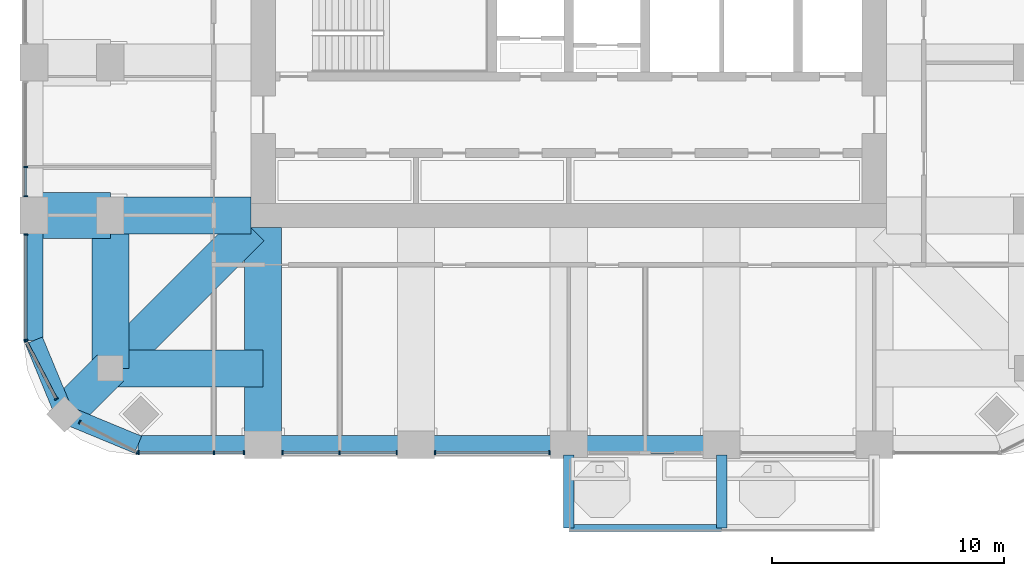
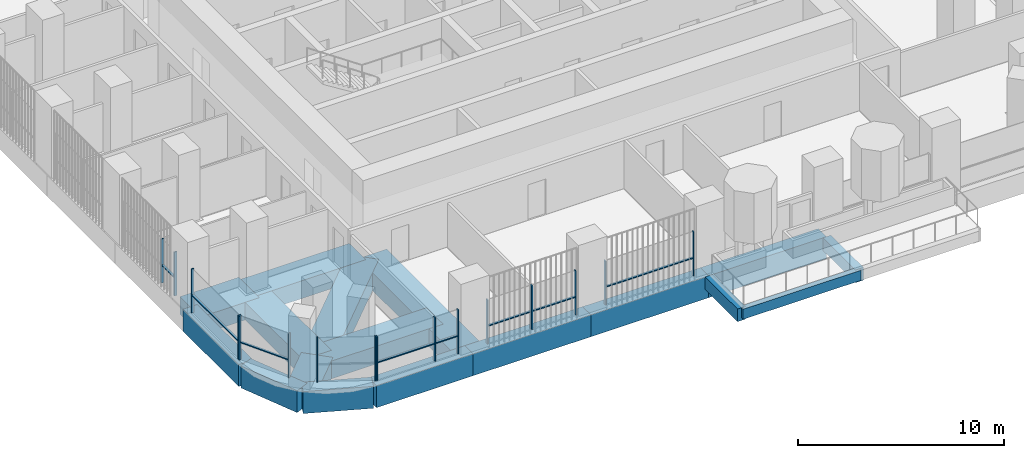
# One storey, part 2 of 20: 24 members, 17 beams, 7 elements without a shape of their own.
"""IFC4 building model written with IfcOpenShell, lengths in metres."""

from ifc_helpers import new_model, si_unit, direction, frame, origin, origin_2d, place, context, subcontext, project, spatial, rectangle, extrude, material, material_profile, profile_set, type_object, element, aggregate, save


model = new_model("IFC4")

# Units and contexts
model_context = context("Model", 3, precision=1e-05, world=origin(), true_north=direction((0.0, 1.0)))
body_context = subcontext(model_context, "Body", "Model", "MODEL_VIEW")
ifc_project = project(units=[si_unit("LENGTHUNIT", "METRE"), si_unit("AREAUNIT", "SQUARE_METRE"), si_unit("VOLUMEUNIT", "CUBIC_METRE"), si_unit("PLANEANGLEUNIT", "RADIAN"), si_unit("MASSUNIT", "GRAM", prefix="KILO")], contexts=[model_context])

# Site, building, storey
site_placement = place(None, origin())
site = spatial("IfcSite", under=ifc_project, at=site_placement, CompositionType="ELEMENT")
building_placement = place(site_placement, origin())
building = spatial("IfcBuilding", under=site, at=building_placement, Name="Cobogo Forest Laboratory Tower", CompositionType="ELEMENT")
storey_placement = place(building_placement, frame((0.0, 0.0, 214.5)))
storey = spatial("IfcBuildingStorey", under=building, at=storey_placement, Name="L49", CompositionType="ELEMENT", Elevation=214.5)

# Beams
ifc_material_1 = material(Name="Concrete HA-40 (C40/50)", Category="concrete")
ifc_material_profile_1 = material_profile(ifc_material_1, rectangle(XDim=0.449951171875, YDim=0.75, at=origin_2d()), Name="RC 450x750")
ifc_profile_set_1 = profile_set([ifc_material_profile_1], Name="Concrete HA-40 (C40/50)")
beam_type_1 = type_object("IfcBeamType", Name="Balcony cantilever beam 450x750", PredefinedType="BEAM", material=ifc_profile_set_1)
for number, where, z_axis, x_axis, name in (
    (1, (26.39990234375, 2.85009765625, -0.625), (0.0, -1.0, 0.0), (1.0, 0.0, 0.0), "CB1 BAL-S1-C1 L49"),
    (2, (33.0, 2.85009765625, -0.625), (0.0, -1.0, 0.0), (1.0, 0.0, 0.0), "CB1 BAL-S1-C2 L49"),
):
    element("IfcBeam", number, at=place(storey_placement, frame(where, z_axis=z_axis, x_axis=x_axis)), inside=storey, type_object=beam_type_1, Name=name, PredefinedType="BEAM", context=body_context, shape_type="SweptSolid", body=[
        extrude(rectangle(XDim=0.449951171875, YDim=0.75, at=origin_2d()), origin(), (0.0, 0.0, 1.0), 3.150146484375),
    ])
ifc_material_profile_2 = material_profile(ifc_material_1, rectangle(XDim=0.300048828125, YDim=0.60009765625, at=origin_2d()), Name="RC 300x600")
ifc_profile_set_2 = profile_set([ifc_material_profile_2], Name="Concrete HA-40 (C40/50)")
beam_type_2 = type_object("IfcBeamType", Name="Balcony edge beam 300x600", PredefinedType="BEAM", material=ifc_profile_set_2)
beam_1_placement = place(storey_placement, frame((26.39990234375, -0.300048828125, -0.550048828125), z_axis=(1.0, 0.0, 0.0), x_axis=(0.0, 1.0, 0.0)))
element("IfcBeam", 3, at=beam_1_placement, inside=storey, type_object=beam_type_2, Name="BB1 BAL-S1-T1 L49", PredefinedType="BEAM", context=body_context, shape_type="SweptSolid", body=[
    extrude(rectangle(XDim=0.300048828125, YDim=0.60009765625, at=origin_2d()), origin(), (0.0, 0.0, 1.0), 6.60009765625),
])
ifc_material_2 = material(Name="Concrete HA-50 (C50/60)", Category="concrete")
ifc_material_profile_3 = material_profile(ifc_material_2, rectangle(XDim=2.0, YDim=1.050048828125, at=origin_2d()), Name="RC 2000x1050")
ifc_profile_set_3 = profile_set([ifc_material_profile_3], Name="Concrete HA-50 (C50/60)")
beam_type_3 = type_object("IfcBeamType", Name="End-bay wide beam 2000x1050", PredefinedType="BEAM", material=ifc_profile_set_3)
beam_2_placement = place(storey_placement, frame((3.300048828125, 13.199951171875, -0.824951171875), z_axis=(1.0, 0.0, 0.0), x_axis=(0.0, 1.0, 0.0)))
element("IfcBeam", 4, at=beam_2_placement, inside=storey, type_object=beam_type_3, Name="RB7 R-C-W-X L49", PredefinedType="BEAM", context=body_context, shape_type="SweptSolid", body=[
    extrude(rectangle(XDim=2.0, YDim=1.050048828125, at=origin_2d()), origin(), (0.0, 0.0, 1.0), 3.300048828125),
])
ifc_material_profile_4 = material_profile(ifc_material_2, rectangle(XDim=1.60009765625, YDim=1.050048828125, at=origin_2d()), Name="RC 1600x1050")
ifc_profile_set_4 = profile_set([ifc_material_profile_4], Name="Concrete HA-50 (C50/60)")
beam_type_4 = type_object("IfcBeamType", Name="Laboratory floor wide beam 1600x1050", PredefinedType="BEAM", material=ifc_profile_set_4)
beam_3_placement = place(storey_placement, frame((13.199951171875, 12.675048828125, -0.824951171875), z_axis=(0.0, -1.0, 0.0), x_axis=(1.0, 0.0, 0.0)))
element("IfcBeam", 5, at=beam_3_placement, inside=storey, type_object=beam_type_4, Name="RB8 R-3-S L49", PredefinedType="BEAM", context=body_context, shape_type="SweptSolid", body=[
    extrude(rectangle(XDim=1.60009765625, YDim=1.050048828125, at=origin_2d()), origin(), (0.0, 0.0, 1.0), 9.375),
])
beam_4_placement = place(storey_placement, frame((12.675048828125, 13.199951171875, -0.824951171875), z_axis=(-1.0, 0.0, 0.0), x_axis=(0.0, -1.0, 0.0)))
element("IfcBeam", 6, at=beam_4_placement, inside=storey, type_object=beam_type_4, Name="RB8 R-C-W L49", PredefinedType="BEAM", context=body_context, shape_type="SweptSolid", body=[
    extrude(rectangle(XDim=1.60009765625, YDim=1.050048828125, at=origin_2d()), origin(), (0.0, 0.0, 1.0), 6.074951171875),
])
for number, where, z_axis, x_axis, name in (
    (7, (6.60009765625, 6.60009765625, -0.824951171875), (0.0, 1.0, 0.0), (-1.0, 0.0, 0.0), "RB8 G-SW-XC L49"),
    (8, (6.60009765625, 6.60009765625, -0.824951171875), (1.0, 0.0, 0.0), (0.0, 1.0, 0.0), "RB8 G-SW-YC L49"),
):
    element("IfcBeam", number, at=place(storey_placement, frame(where, z_axis=z_axis, x_axis=x_axis)), inside=storey, type_object=beam_type_4, Name=name, PredefinedType="BEAM", context=body_context, shape_type="SweptSolid", body=[
        extrude(rectangle(XDim=1.60009765625, YDim=1.050048828125, at=origin_2d()), origin(), (0.0, 0.0, 1.0), 6.599853515625),
    ])
beam_5_placement = place(storey_placement, frame((4.617919921875, 4.617919921875, -0.824951171875), z_axis=(0.707106781187, 0.707106781187, 0.0), x_axis=(-0.707106781187, 0.707106781187, 0.0)))
element("IfcBeam", 9, at=beam_5_placement, inside=storey, type_object=beam_type_4, Name="RB8 G-SW-D1 L49", PredefinedType="BEAM", context=body_context, shape_type="SweptSolid", body=[
    extrude(rectangle(XDim=1.60009765625, YDim=1.050048828125, at=origin_2d()), origin(), (0.0, 0.0, 1.0), 2.80322265625),
])
beam_6_placement = place(storey_placement, frame((6.60009765625, 6.60009765625, -0.824951171875), z_axis=(0.707106781187, 0.707106781187, 0.0), x_axis=(-0.707106781187, 0.707106781187, 0.0)))
element("IfcBeam", 10, at=beam_6_placement, inside=storey, type_object=beam_type_4, Name="RB8 G-SW-D2 L49", PredefinedType="BEAM", context=body_context, shape_type="SweptSolid", body=[
    extrude(rectangle(XDim=1.60009765625, YDim=1.050048828125, at=origin_2d()), origin(), (0.0, 0.0, 1.0), 8.59130859375),
])

# Curtain wall, members
ifc_material_3 = material(Name="Aluminium curtain wall", Category="aluminium")
curtain_wall_type = type_object("IfcCurtainWallType", Name="CW-2 unitised curtain wall, solar control glazing, laboratory floors zones C and D", PredefinedType="USERDEFINED", material=ifc_material_3)
curtain_wall_1_placement = place(storey_placement, origin())
curtain_wall_1 = element("IfcCurtainWall", 11, at=curtain_wall_1_placement, inside=storey, type_object=curtain_wall_type, Name="Curtain wall 01 L49", ObjectType="UNITISED CURTAIN WALL", PredefinedType="USERDEFINED")
ifc_material_4 = material(Name="Aluminium mullion", Category="aluminium")
ifc_material_profile_5 = material_profile(ifc_material_4, rectangle(XDim=0.06005859375, YDim=0.159912109375, at=origin_2d()), Name="AL 60x160")
ifc_profile_set_5 = profile_set([ifc_material_profile_5], Name="Aluminium mullion")
member_type_1 = type_object("IfcMemberType", Name="MU-1 aluminium mullion 60x160", PredefinedType="MULLION", material=ifc_profile_set_5)
member_1_placement = place(storey_placement, frame((7.830078125, 2.949951171875, 0.0), z_axis=(0.0, 0.0, 1.0), x_axis=(1.0, 0.0, 0.0)))
member_1 = element("IfcMember", 12, at=member_1_placement, type_object=member_type_1, Name="CW-2 mullion 1", PredefinedType="MULLION", context=body_context, shape_type="SweptSolid", body=[
    extrude(rectangle(XDim=0.06005859375, YDim=0.159912109375, at=origin_2d()), origin(), (0.0, 0.0, 1.0), 2.60009765625),
])
member_2_placement = place(storey_placement, frame((11.074951171875, 2.949951171875, 0.0), z_axis=(0.0, 0.0, 1.0), x_axis=(1.0, 0.0, 0.0)))
member_2 = element("IfcMember", 13, at=member_2_placement, type_object=member_type_1, Name="CW-2 mullion 2", PredefinedType="MULLION", context=body_context, shape_type="SweptSolid", body=[
    extrude(rectangle(XDim=0.06005859375, YDim=0.159912109375, at=origin_2d()), origin(), (0.0, 0.0, 1.0), 2.60009765625),
])
member_3_placement = place(storey_placement, frame((12.3701171875, 2.949951171875, 0.0), z_axis=(0.0, 0.0, 1.0), x_axis=(1.0, 0.0, 0.0)))
member_3 = element("IfcMember", 14, at=member_3_placement, type_object=member_type_1, Name="CW-2 mullion 3", PredefinedType="MULLION", context=body_context, shape_type="SweptSolid", body=[
    extrude(rectangle(XDim=0.06005859375, YDim=0.159912109375, at=origin_2d()), origin(), (0.0, 0.0, 1.0), 2.60009765625),
])

curtain_wall_2_placement = place(storey_placement, origin())
curtain_wall_2 = element("IfcCurtainWall", 15, at=curtain_wall_2_placement, inside=storey, type_object=curtain_wall_type, Name="Curtain wall 02 L49", ObjectType="UNITISED CURTAIN WALL", PredefinedType="USERDEFINED")
member_4_placement = place(storey_placement, frame((14.030029296875, 2.949951171875, 0.0), z_axis=(0.0, 0.0, 1.0), x_axis=(1.0, 0.0, 0.0)))
member_4 = element("IfcMember", 16, at=member_4_placement, type_object=member_type_1, Name="CW-2 mullion 1", PredefinedType="MULLION", context=body_context, shape_type="SweptSolid", body=[
    extrude(rectangle(XDim=0.06005859375, YDim=0.159912109375, at=origin_2d()), origin(), (0.0, 0.0, 1.0), 2.60009765625),
])
member_5_placement = place(storey_placement, frame((16.5, 2.949951171875, 0.0), z_axis=(0.0, 0.0, 1.0), x_axis=(1.0, 0.0, 0.0)))
member_5 = element("IfcMember", 17, at=member_5_placement, type_object=member_type_1, Name="CW-2 mullion 2", PredefinedType="MULLION", context=body_context, shape_type="SweptSolid", body=[
    extrude(rectangle(XDim=0.06005859375, YDim=0.159912109375, at=origin_2d()), origin(), (0.0, 0.0, 1.0), 2.60009765625),
])
member_6_placement = place(storey_placement, frame((18.969970703125, 2.949951171875, 0.0), z_axis=(0.0, 0.0, 1.0), x_axis=(1.0, 0.0, 0.0)))
member_6 = element("IfcMember", 18, at=member_6_placement, type_object=member_type_1, Name="CW-2 mullion 3", PredefinedType="MULLION", context=body_context, shape_type="SweptSolid", body=[
    extrude(rectangle(XDim=0.06005859375, YDim=0.159912109375, at=origin_2d()), origin(), (0.0, 0.0, 1.0), 2.60009765625),
])

curtain_wall_3_placement = place(storey_placement, origin())
curtain_wall_3 = element("IfcCurtainWall", 19, at=curtain_wall_3_placement, inside=storey, type_object=curtain_wall_type, Name="Curtain wall 03 L49", ObjectType="UNITISED CURTAIN WALL", PredefinedType="USERDEFINED")
member_7_placement = place(storey_placement, frame((20.6298828125, 2.949951171875, 0.0), z_axis=(0.0, 0.0, 1.0), x_axis=(1.0, 0.0, 0.0)))
member_7 = element("IfcMember", 20, at=member_7_placement, type_object=member_type_1, Name="CW-2 mullion 1", PredefinedType="MULLION", context=body_context, shape_type="SweptSolid", body=[
    extrude(rectangle(XDim=0.06005859375, YDim=0.159912109375, at=origin_2d()), origin(), (0.0, 0.0, 1.0), 2.60009765625),
])
member_8_placement = place(storey_placement, frame((25.570068359375, 2.949951171875, 0.0), z_axis=(0.0, 0.0, 1.0), x_axis=(1.0, 0.0, 0.0)))
member_8 = element("IfcMember", 21, at=member_8_placement, type_object=member_type_1, Name="CW-2 mullion 2", PredefinedType="MULLION", context=body_context, shape_type="SweptSolid", body=[
    extrude(rectangle(XDim=0.06005859375, YDim=0.159912109375, at=origin_2d()), origin(), (0.0, 0.0, 1.0), 2.60009765625),
])

curtain_wall_4_placement = place(storey_placement, origin())
curtain_wall_4 = element("IfcCurtainWall", 22, at=curtain_wall_4_placement, inside=storey, type_object=curtain_wall_type, Name="Curtain wall 27 L49", ObjectType="UNITISED CURTAIN WALL", PredefinedType="USERDEFINED")
member_9_placement = place(storey_placement, frame((2.949951171875, 15.300048828125, 0.0), z_axis=(0.0, 0.0, 1.0), x_axis=(0.0, -1.0, 0.0)))
member_9 = element("IfcMember", 23, at=member_9_placement, type_object=member_type_1, Name="CW-2 mullion 2", PredefinedType="MULLION", context=body_context, shape_type="SweptSolid", body=[
    extrude(rectangle(XDim=0.06005859375, YDim=0.159912109375, at=origin_2d()), origin(), (0.0, 0.0, 1.0), 2.60009765625),
])
member_10_placement = place(storey_placement, frame((2.949951171875, 14.030029296875, 0.0), z_axis=(0.0, 0.0, 1.0), x_axis=(0.0, -1.0, 0.0)))
member_10 = element("IfcMember", 24, at=member_10_placement, type_object=member_type_1, Name="CW-2 mullion 3", PredefinedType="MULLION", context=body_context, shape_type="SweptSolid", body=[
    extrude(rectangle(XDim=0.06005859375, YDim=0.159912109375, at=origin_2d()), origin(), (0.0, 0.0, 1.0), 2.60009765625),
])

curtain_wall_5_placement = place(storey_placement, origin())
curtain_wall_5 = element("IfcCurtainWall", 25, at=curtain_wall_5_placement, inside=storey, type_object=curtain_wall_type, Name="Curtain wall 28 L49", ObjectType="UNITISED CURTAIN WALL", PredefinedType="USERDEFINED")
member_11_placement = place(storey_placement, frame((2.949951171875, 12.3701171875, 0.0), z_axis=(0.0, 0.0, 1.0), x_axis=(0.0, -1.0, 0.0)))
member_11 = element("IfcMember", 26, at=member_11_placement, type_object=member_type_1, Name="CW-2 mullion 1", PredefinedType="MULLION", context=body_context, shape_type="SweptSolid", body=[
    extrude(rectangle(XDim=0.06005859375, YDim=0.159912109375, at=origin_2d()), origin(), (0.0, 0.0, 1.0), 2.60009765625),
])
member_12_placement = place(storey_placement, frame((2.949951171875, 7.830078125, 0.0), z_axis=(0.0, 0.0, 1.0), x_axis=(0.0, -1.0, 0.0)))
member_12 = element("IfcMember", 27, at=member_12_placement, type_object=member_type_1, Name="CW-2 mullion 2", PredefinedType="MULLION", context=body_context, shape_type="SweptSolid", body=[
    extrude(rectangle(XDim=0.06005859375, YDim=0.159912109375, at=origin_2d()), origin(), (0.0, 0.0, 1.0), 2.60009765625),
])

curtain_wall_6_placement = place(storey_placement, origin())
curtain_wall_6 = element("IfcCurtainWall", 28, at=curtain_wall_6_placement, inside=storey, type_object=curtain_wall_type, Name="Curtain wall 29 L49", ObjectType="UNITISED CURTAIN WALL", PredefinedType="USERDEFINED")
member_13_placement = place(storey_placement, frame((2.9638671875, 7.7734375, 0.0), z_axis=(0.0, 0.0, 1.0), x_axis=(0.464283804832, -0.885686484356, 0.0)))
member_13 = element("IfcMember", 29, at=member_13_placement, type_object=member_type_1, Name="CW-2 mullion 1", PredefinedType="MULLION", context=body_context, shape_type="SweptSolid", body=[
    extrude(rectangle(XDim=0.06005859375, YDim=0.159912109375, at=origin_2d()), origin(), (0.0, 0.0, 1.0), 2.60009765625),
])
member_14_placement = place(storey_placement, frame((4.2734375, 5.275634765625, 0.0), z_axis=(0.0, 0.0, 1.0), x_axis=(0.464283804832, -0.885686484356, 0.0)))
member_14 = element("IfcMember", 30, at=member_14_placement, type_object=member_type_1, Name="CW-2 mullion 2", PredefinedType="MULLION", context=body_context, shape_type="SweptSolid", body=[
    extrude(rectangle(XDim=0.06005859375, YDim=0.159912109375, at=origin_2d()), origin(), (0.0, 0.0, 1.0), 2.60009765625),
])

curtain_wall_7_placement = place(storey_placement, origin())
curtain_wall_7 = element("IfcCurtainWall", 31, at=curtain_wall_7_placement, inside=storey, type_object=curtain_wall_type, Name="Curtain wall 30 L49", ObjectType="UNITISED CURTAIN WALL", PredefinedType="USERDEFINED")
member_15_placement = place(storey_placement, frame((5.275634765625, 4.2734375, 0.0), z_axis=(0.0, 0.0, 1.0), x_axis=(0.885686484356, -0.464283804832, 0.0)))
member_15 = element("IfcMember", 32, at=member_15_placement, type_object=member_type_1, Name="CW-2 mullion 1", PredefinedType="MULLION", context=body_context, shape_type="SweptSolid", body=[
    extrude(rectangle(XDim=0.06005859375, YDim=0.159912109375, at=origin_2d()), origin(), (0.0, 0.0, 1.0), 2.60009765625),
])
member_16_placement = place(storey_placement, frame((7.7734375, 2.9638671875, 0.0), z_axis=(0.0, 0.0, 1.0), x_axis=(0.885686484356, -0.464283804832, 0.0)))
member_16 = element("IfcMember", 33, at=member_16_placement, type_object=member_type_1, Name="CW-2 mullion 2", PredefinedType="MULLION", context=body_context, shape_type="SweptSolid", body=[
    extrude(rectangle(XDim=0.06005859375, YDim=0.159912109375, at=origin_2d()), origin(), (0.0, 0.0, 1.0), 2.60009765625),
])
aggregate(curtain_wall_7, [member_15, member_16])

# Beams
ifc_material_profile_6 = material_profile(ifc_material_1, rectangle(XDim=0.800048828125, YDim=1.300048828125, at=origin_2d()), Name="RC 800x1300")
ifc_profile_set_6 = profile_set([ifc_material_profile_6], Name="Concrete HA-40 (C40/50)")
beam_type_5 = type_object("IfcBeamType", Name="Perimeter edge beam 800x1300", PredefinedType="BEAM", material=ifc_profile_set_6)
beam_7_placement = place(storey_placement, frame((13.199951171875, 3.300048828125, -0.949951171875), z_axis=(1.0, 0.0, 0.0), x_axis=(0.0, 1.0, 0.0)))
element("IfcBeam", 34, at=beam_7_placement, inside=storey, type_object=beam_type_5, Name="EB2 E-S1 L49", PredefinedType="BEAM", context=body_context, shape_type="SweptSolid", body=[
    extrude(rectangle(XDim=0.800048828125, YDim=1.300048828125, at=origin_2d()), origin(), (0.0, 0.0, 1.0), 6.60009765625),
])
beam_8_placement = place(storey_placement, frame((19.800048828125, 3.300048828125, -0.949951171875), z_axis=(1.0, 0.0, 0.0), x_axis=(0.0, 1.0, 0.0)))
element("IfcBeam", 35, at=beam_8_placement, inside=storey, type_object=beam_type_5, Name="EB2 E-S2 L49", PredefinedType="BEAM", context=body_context, shape_type="SweptSolid", body=[
    extrude(rectangle(XDim=0.800048828125, YDim=1.300048828125, at=origin_2d()), origin(), (0.0, 0.0, 1.0), 6.599853515625),
])
beam_9_placement = place(storey_placement, frame((26.39990234375, 3.300048828125, -0.949951171875), z_axis=(1.0, 0.0, 0.0), x_axis=(0.0, 1.0, 0.0)))
element("IfcBeam", 36, at=beam_9_placement, inside=storey, type_object=beam_type_5, Name="EB2 E-S3 L49", PredefinedType="BEAM", context=body_context, shape_type="SweptSolid", body=[
    extrude(rectangle(XDim=0.800048828125, YDim=1.300048828125, at=origin_2d()), origin(), (0.0, 0.0, 1.0), 6.60009765625),
])
beam_10_placement = place(storey_placement, frame((13.199951171875, 3.300048828125, -0.949951171875), z_axis=(-1.0, 0.0, 0.0), x_axis=(0.0, -1.0, 0.0)))
element("IfcBeam", 37, at=beam_10_placement, inside=storey, type_object=beam_type_5, Name="EB2 E-SWS1 L49", PredefinedType="BEAM", context=body_context, shape_type="SweptSolid", body=[
    extrude(rectangle(XDim=0.800048828125, YDim=1.300048828125, at=origin_2d()), origin(), (0.0, 0.0, 1.0), 5.39990234375),
])
beam_11_placement = place(storey_placement, frame((7.800048828125, 3.300048828125, -0.949951171875), z_axis=(-0.923901072997, 0.382631424892, 0.0), x_axis=(-0.382631424892, -0.923901072997, 0.0)))
element("IfcBeam", 38, at=beam_11_placement, inside=storey, type_object=beam_type_5, Name="EB2 E-SWS2 L49", PredefinedType="BEAM", context=body_context, shape_type="SweptSolid", body=[
    extrude(rectangle(XDim=0.800048828125, YDim=1.300048828125, at=origin_2d()), origin(), (0.0, 0.0, 1.0), 3.4443359375),
])
beam_12_placement = place(storey_placement, frame((3.300048828125, 13.199951171875, -0.949951171875), z_axis=(0.0, -1.0, 0.0), x_axis=(1.0, 0.0, 0.0)))
element("IfcBeam", 39, at=beam_12_placement, inside=storey, type_object=beam_type_5, Name="EB2 E-SWW1 L49", PredefinedType="BEAM", context=body_context, shape_type="SweptSolid", body=[
    extrude(rectangle(XDim=0.800048828125, YDim=1.300048828125, at=origin_2d()), origin(), (0.0, 0.0, 1.0), 5.39990234375),
])
beam_13_placement = place(storey_placement, frame((3.300048828125, 7.800048828125, -0.949951171875), z_axis=(0.382631424892, -0.923901072997, 0.0), x_axis=(0.923901072997, 0.382631424892, 0.0)))
element("IfcBeam", 40, at=beam_13_placement, inside=storey, type_object=beam_type_5, Name="EB2 E-SWW2 L49", PredefinedType="BEAM", context=body_context, shape_type="SweptSolid", body=[
    extrude(rectangle(XDim=0.800048828125, YDim=1.300048828125, at=origin_2d()), origin(), (0.0, 0.0, 1.0), 3.4443359375),
])

# Member
ifc_material_5 = material(Name="Aluminium transom", Category="aluminium")
ifc_material_profile_7 = material_profile(ifc_material_5, rectangle(XDim=0.1201171875, YDim=0.06005859375, at=origin_2d()), Name="AL 60x120")
ifc_profile_set_7 = profile_set([ifc_material_profile_7], Name="Aluminium transom")
member_type_2 = type_object("IfcMemberType", Name="TR-1 aluminium transom 60x120", PredefinedType="USERDEFINED", material=ifc_profile_set_7)
member_17_placement = place(storey_placement, frame((7.860107421875, 2.949951171875, 1.050048828125), z_axis=(1.0, 0.0, 0.0), x_axis=(0.0, 1.0, 0.0)))
member_17 = element("IfcMember", 41, at=member_17_placement, type_object=member_type_2, Name="CW-2 transom 1.1", ObjectType="TRANSOM", PredefinedType="USERDEFINED", context=body_context, shape_type="SweptSolid", body=[
    extrude(rectangle(XDim=0.1201171875, YDim=0.06005859375, at=origin_2d()), origin(), (0.0, 0.0, 1.0), 3.184814453125),
])

member_18_placement = place(storey_placement, frame((11.10498046875, 2.949951171875, 1.050048828125), z_axis=(1.0, 0.0, 0.0), x_axis=(0.0, 1.0, 0.0)))
member_18 = element("IfcMember", 42, at=member_18_placement, type_object=member_type_2, Name="CW-2 transom 2.1", ObjectType="TRANSOM", PredefinedType="USERDEFINED", context=body_context, shape_type="SweptSolid", body=[
    extrude(rectangle(XDim=0.1201171875, YDim=0.06005859375, at=origin_2d()), origin(), (0.0, 0.0, 1.0), 1.235107421875),
])

aggregate(curtain_wall_1, [member_1, member_2, member_3, member_17, member_18])

member_19_placement = place(storey_placement, frame((14.06005859375, 2.949951171875, 1.050048828125), z_axis=(1.0, 0.0, 0.0), x_axis=(0.0, 1.0, 0.0)))
member_19 = element("IfcMember", 43, at=member_19_placement, type_object=member_type_2, Name="CW-2 transom 1.1", ObjectType="TRANSOM", PredefinedType="USERDEFINED", context=body_context, shape_type="SweptSolid", body=[
    extrude(rectangle(XDim=0.1201171875, YDim=0.06005859375, at=origin_2d()), origin(), (0.0, 0.0, 1.0), 2.409912109375),
])

member_20_placement = place(storey_placement, frame((16.530029296875, 2.949951171875, 1.050048828125), z_axis=(1.0, 0.0, 0.0), x_axis=(0.0, 1.0, 0.0)))
member_20 = element("IfcMember", 44, at=member_20_placement, type_object=member_type_2, Name="CW-2 transom 2.1", ObjectType="TRANSOM", PredefinedType="USERDEFINED", context=body_context, shape_type="SweptSolid", body=[
    extrude(rectangle(XDim=0.1201171875, YDim=0.06005859375, at=origin_2d()), origin(), (0.0, 0.0, 1.0), 2.409912109375),
])

aggregate(curtain_wall_2, [member_4, member_5, member_6, member_19, member_20])

member_21_placement = place(storey_placement, frame((20.659912109375, 2.949951171875, 1.050048828125), z_axis=(1.0, 0.0, 0.0), x_axis=(0.0, 1.0, 0.0)))
member_21 = element("IfcMember", 45, at=member_21_placement, type_object=member_type_2, Name="CW-2 transom 1.1", ObjectType="TRANSOM", PredefinedType="USERDEFINED", context=body_context, shape_type="SweptSolid", body=[
    extrude(rectangle(XDim=0.1201171875, YDim=0.06005859375, at=origin_2d()), origin(), (0.0, 0.0, 1.0), 4.880126953125),
])

aggregate(curtain_wall_3, [member_7, member_8, member_21])

member_22_placement = place(storey_placement, frame((2.949951171875, 15.27001953125, 1.050048828125), z_axis=(0.0, -1.0, 0.0), x_axis=(1.0, 0.0, 0.0)))
member_22 = element("IfcMember", 46, at=member_22_placement, type_object=member_type_2, Name="CW-2 transom 2.1", ObjectType="TRANSOM", PredefinedType="USERDEFINED", context=body_context, shape_type="SweptSolid", body=[
    extrude(rectangle(XDim=0.1201171875, YDim=0.06005859375, at=origin_2d()), origin(), (0.0, 0.0, 1.0), 1.2099609375),
])

aggregate(curtain_wall_4, [member_9, member_10, member_22])

member_23_placement = place(storey_placement, frame((2.949951171875, 12.340087890625, 1.050048828125), z_axis=(0.0, -1.0, 0.0), x_axis=(1.0, 0.0, 0.0)))
member_23 = element("IfcMember", 47, at=member_23_placement, type_object=member_type_2, Name="CW-2 transom 1.1", ObjectType="TRANSOM", PredefinedType="USERDEFINED", context=body_context, shape_type="SweptSolid", body=[
    extrude(rectangle(XDim=0.1201171875, YDim=0.06005859375, at=origin_2d()), origin(), (0.0, 0.0, 1.0), 4.47998046875),
])

aggregate(curtain_wall_5, [member_11, member_12, member_23])

member_24_placement = place(storey_placement, frame((2.977783203125, 7.746826171875, 1.050048828125), z_axis=(0.464324225592, -0.885665294301, 0.0), x_axis=(0.885665294301, 0.464324225592, 0.0)))
member_24 = element("IfcMember", 48, at=member_24_placement, type_object=member_type_2, Name="CW-2 transom 1.1", ObjectType="TRANSOM", PredefinedType="USERDEFINED", context=body_context, shape_type="SweptSolid", body=[
    extrude(rectangle(XDim=0.1201171875, YDim=0.06005859375, at=origin_2d()), origin(), (0.0, 0.0, 1.0), 2.760498046875),
])

aggregate(curtain_wall_6, [member_13, member_14, member_24])

save(model, "model.ifc")
